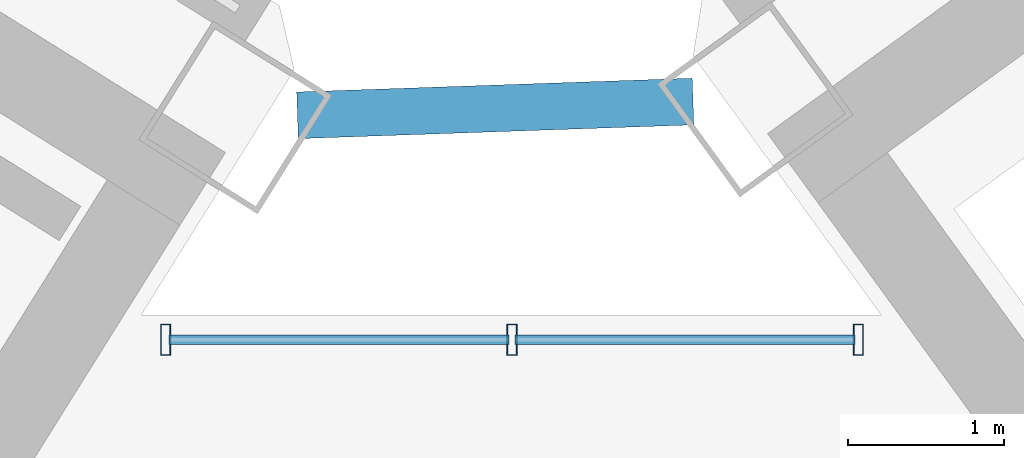
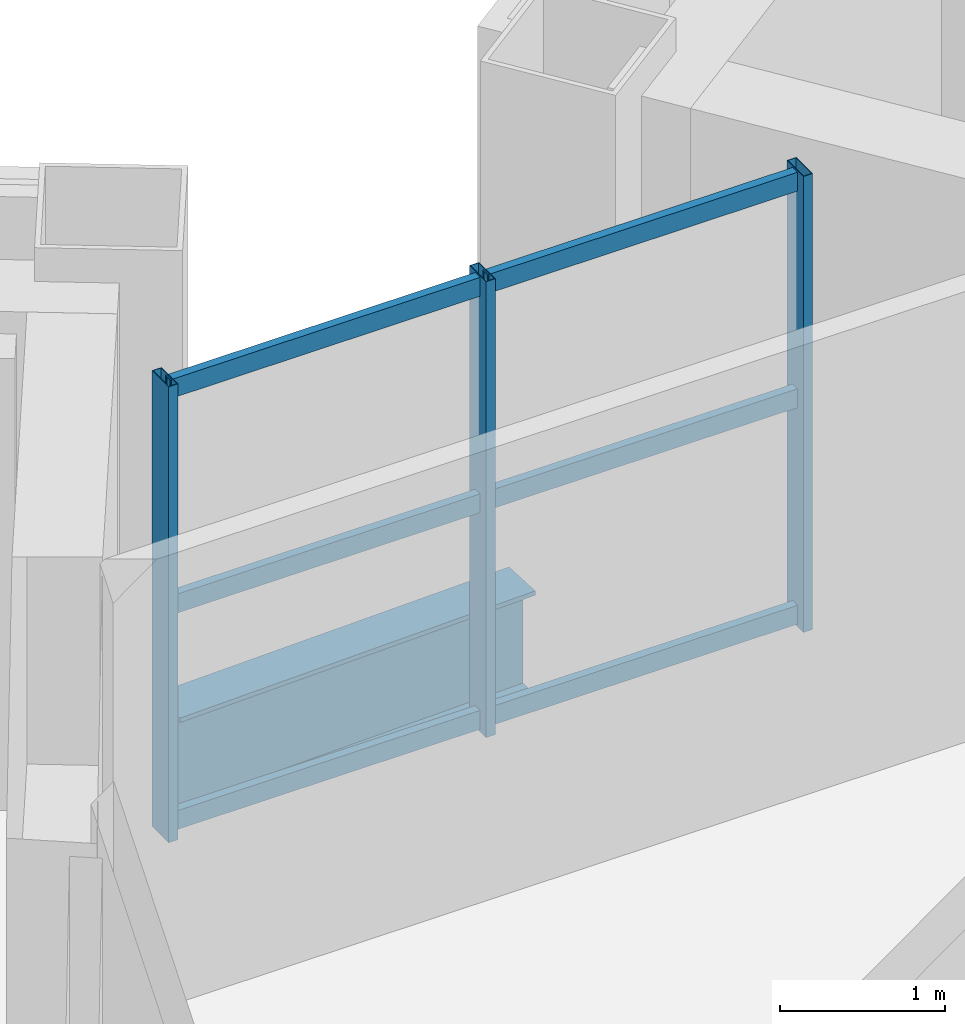
# One storey, part 12 of 29: 9 members, 1 beam, 1 element without a shape of its own.
"""IFC4 building model written with IfcOpenShell, lengths in metres."""

from ifc_helpers import new_model, si_unit, direction, frame, origin, origin_2d, place, context, subcontext, project, spatial, hollow_rectangle, i_section, extrude, source, transform, mapped, material, material_profile, profile_set, type_object, element, aggregate, save


model = new_model("IFC4")

# Units and contexts
model_context = context("Model", 3, precision=1e-05, world=origin(), true_north=direction((0.0, 1.0)))
body_context = subcontext(model_context, "Body", "Model", "MODEL_VIEW")
ifc_project = project(units=[si_unit("LENGTHUNIT", "METRE"), si_unit("AREAUNIT", "SQUARE_METRE"), si_unit("VOLUMEUNIT", "CUBIC_METRE"), si_unit("PLANEANGLEUNIT", "RADIAN"), si_unit("MASSUNIT", "GRAM", prefix="KILO")], contexts=[model_context])

# Site, building, storey
site_placement = place(None, origin())
site = spatial("IfcSite", under=ifc_project, at=site_placement, CompositionType="ELEMENT")
building_placement = place(site_placement, origin())
building = spatial("IfcBuilding", under=site, at=building_placement, Name="Tlacorven Tower", CompositionType="ELEMENT")
storey_placement = place(building_placement, frame((0.0, 0.0, 158.699951171875)))
storey = spatial("IfcBuildingStorey", under=building, at=storey_placement, Name="L40", CompositionType="ELEMENT", Elevation=158.699951171875)

# Beam
ifc_material_1 = material(Name="Steel S355J2", Category="steel")
ifc_material_profile_1 = material_profile(ifc_material_1, i_section(OverallWidth=0.300048828125, OverallDepth=0.800048828125, WebThickness=0.017578125, FlangeThickness=0.032958984375, at=origin_2d()), Name="HEB 800")
ifc_profile_set_1 = profile_set([ifc_material_profile_1], Name="Steel S355J2")
beam_type = type_object("IfcBeamType", Name="BM-POD-800", PredefinedType="BEAM", material=ifc_profile_set_1)
shared_shape_1 = source(origin(), body_context, "Body", "SweptSolid", [
    extrude(i_section(OverallWidth=0.300048828125, OverallDepth=0.800048828125, WebThickness=0.017578125, FlangeThickness=0.032958984375, at=origin_2d()), origin(), (0.0, 0.0, 1.0), 2.542724609375),
])
beam_placement = place(storey_placement, frame((41.1826171875, 24.482421875, -0.64990234375), z_axis=(0.999392467766, 0.034852480142, 0.0), x_axis=(-0.034852480142, 0.999392467766, 0.0)))
element("IfcBeam", 1, at=beam_placement, inside=storey, type_object=beam_type, Name="L40 Knuckle Link Girder 1", PredefinedType="BEAM", context=body_context, shape_type="MappedRepresentation", body=[
    mapped(shared_shape_1, transform((0.0, 0.0, 0.0), scale=1.0)),
])

# Curtain wall, members
ifc_material_2 = material(Name="Dark solar low-E double glazing in aluminium frame", Category="aluminium")
curtain_wall_type = type_object("IfcCurtainWallType", Name="CW-TWR-MID", PredefinedType="USERDEFINED", material=ifc_material_2)
curtain_wall_placement = place(storey_placement, origin())
curtain_wall = element("IfcCurtainWall", 2, at=curtain_wall_placement, inside=storey, type_object=curtain_wall_type, Name="L40 CW-TWR-MID Curtain Wall 183", ObjectType="UNITISED CURTAIN WALL", PredefinedType="USERDEFINED")
ifc_material_3 = material(Name="Aluminium 6063-T6 anodised", Category="aluminium")
ifc_material_profile_2 = material_profile(ifc_material_3, hollow_rectangle(XDim=0.06494140625, YDim=0.199951171875, WallThickness=0.00439453125, at=origin_2d()), Name="ALU MULLION 65X200")
ifc_profile_set_2 = profile_set([ifc_material_profile_2], Name="Aluminium 6063-T6 anodised")
member_type_1 = type_object("IfcMemberType", Name="CWM-02", PredefinedType="MULLION", material=ifc_profile_set_2)
shared_shape_2 = source(origin(), body_context, "Body", "SweptSolid", [
    extrude(hollow_rectangle(XDim=0.06494140625, YDim=0.199951171875, WallThickness=0.00439453125, at=origin_2d()), origin(), (0.0, 0.0, 1.0), 3.380126953125),
])
member_1_placement = place(storey_placement, frame((40.33544921875, 23.0400390625, -0.02001953125), z_axis=(0.0, 0.0, 1.0), x_axis=(1.0, 0.0, 0.0)))
member_1 = element("IfcMember", 3, at=member_1_placement, type_object=member_type_1, Name="CW-L40-183 Mullion 1", PredefinedType="MULLION", context=body_context, shape_type="MappedRepresentation", body=[
    mapped(shared_shape_2, transform((0.0, 0.0, 0.0), scale=1.0)),
])
member_2_placement = place(storey_placement, frame((42.560791015625, 23.0400390625, -0.02001953125), z_axis=(0.0, 0.0, 1.0), x_axis=(1.0, 0.0, 0.0)))
member_2 = element("IfcMember", 4, at=member_2_placement, type_object=member_type_1, Name="CW-L40-183 Mullion 2", PredefinedType="MULLION", context=body_context, shape_type="MappedRepresentation", body=[
    mapped(shared_shape_2, transform((0.0, 0.0, 0.0), scale=1.0)),
])
member_3_placement = place(storey_placement, frame((44.7861328125, 23.0400390625, -0.02001953125), z_axis=(0.0, 0.0, 1.0), x_axis=(1.0, 0.0, 0.0)))
member_3 = element("IfcMember", 5, at=member_3_placement, type_object=member_type_1, Name="CW-L40-183 Mullion 3", PredefinedType="MULLION", context=body_context, shape_type="MappedRepresentation", body=[
    mapped(shared_shape_2, transform((0.0, 0.0, 0.0), scale=1.0)),
])
ifc_material_profile_3 = material_profile(ifc_material_3, hollow_rectangle(XDim=0.06005859375, YDim=0.139892578125, WallThickness=0.00390625, at=origin_2d()), Name="ALU TRANSOM 60X140")
ifc_profile_set_3 = profile_set([ifc_material_profile_3], Name="Aluminium 6063-T6 anodised")
member_type_2 = type_object("IfcMemberType", Name="CWT-02", PredefinedType="USERDEFINED", material=ifc_profile_set_3)
shared_shape_3 = source(origin(), body_context, "Body", "SweptSolid", [
    extrude(hollow_rectangle(XDim=0.06005859375, YDim=0.139892578125, WallThickness=0.00390625, at=origin_2d()), origin(), (0.0, 0.0, 1.0), 2.184326171875),
])
member_4_placement = place(storey_placement, frame((40.35595703125, 23.0400390625, 0.070068359375), z_axis=(1.0, 0.0, 0.0), x_axis=(0.0, 1.0, 0.0)))
member_4 = element("IfcMember", 6, at=member_4_placement, type_object=member_type_2, Name="CW-L40-183 Transom 1", ObjectType="TRANSOM", PredefinedType="USERDEFINED", context=body_context, shape_type="MappedRepresentation", body=[
    mapped(shared_shape_3, transform((0.0, 0.0, 0.0), scale=1.0)),
])
member_5_placement = place(storey_placement, frame((40.35595703125, 23.0400390625, 1.675048828125), z_axis=(1.0, 0.0, 0.0), x_axis=(0.0, 1.0, 0.0)))
member_5 = element("IfcMember", 7, at=member_5_placement, type_object=member_type_2, Name="CW-L40-183 Transom 2", ObjectType="TRANSOM", PredefinedType="USERDEFINED", context=body_context, shape_type="MappedRepresentation", body=[
    mapped(shared_shape_3, transform((0.0, 0.0, 0.0), scale=1.0)),
])
member_6_placement = place(storey_placement, frame((40.35595703125, 23.0400390625, 3.280029296875), z_axis=(1.0, 0.0, 0.0), x_axis=(0.0, 1.0, 0.0)))
member_6 = element("IfcMember", 8, at=member_6_placement, type_object=member_type_2, Name="CW-L40-183 Transom 3", ObjectType="TRANSOM", PredefinedType="USERDEFINED", context=body_context, shape_type="MappedRepresentation", body=[
    mapped(shared_shape_3, transform((0.0, 0.0, 0.0), scale=1.0)),
])
member_7_placement = place(storey_placement, frame((42.581298828125, 23.0400390625, 0.070068359375), z_axis=(1.0, 0.0, 0.0), x_axis=(0.0, 1.0, 0.0)))
member_7 = element("IfcMember", 9, at=member_7_placement, type_object=member_type_2, Name="CW-L40-183 Transom 4", ObjectType="TRANSOM", PredefinedType="USERDEFINED", context=body_context, shape_type="MappedRepresentation", body=[
    mapped(shared_shape_3, transform((0.0, 0.0, 0.0), scale=1.0)),
])
member_8_placement = place(storey_placement, frame((42.581298828125, 23.0400390625, 1.675048828125), z_axis=(1.0, 0.0, 0.0), x_axis=(0.0, 1.0, 0.0)))
member_8 = element("IfcMember", 10, at=member_8_placement, type_object=member_type_2, Name="CW-L40-183 Transom 5", ObjectType="TRANSOM", PredefinedType="USERDEFINED", context=body_context, shape_type="MappedRepresentation", body=[
    mapped(shared_shape_3, transform((0.0, 0.0, 0.0), scale=1.0)),
])
member_9_placement = place(storey_placement, frame((42.581298828125, 23.0400390625, 3.280029296875), z_axis=(1.0, 0.0, 0.0), x_axis=(0.0, 1.0, 0.0)))
member_9 = element("IfcMember", 11, at=member_9_placement, type_object=member_type_2, Name="CW-L40-183 Transom 6", ObjectType="TRANSOM", PredefinedType="USERDEFINED", context=body_context, shape_type="MappedRepresentation", body=[
    mapped(shared_shape_3, transform((0.0, 0.0, 0.0), scale=1.0)),
])
aggregate(curtain_wall, [member_1, member_2, member_3, member_4, member_5, member_6, member_7, member_8, member_9])

save(model, "model.ifc")
